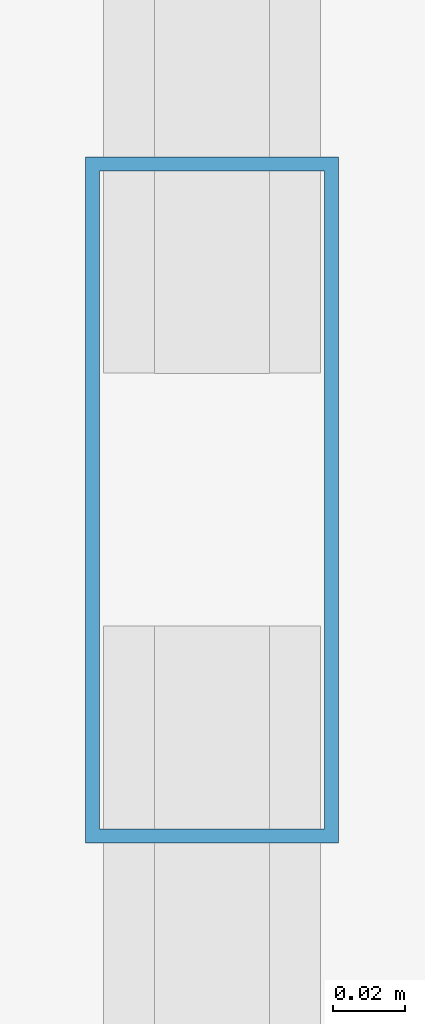
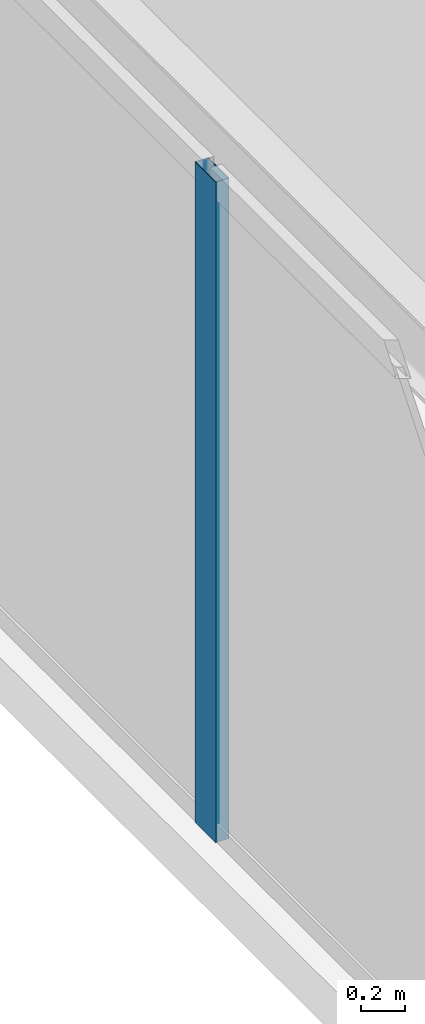
# One storey, part 10 of 35: 1 member, 1 element without a shape of its own.
"""IFC4 building model written with IfcOpenShell, lengths in metres."""

from ifc_helpers import new_model, si_unit, direction, frame, origin, origin_2d, place, context, subcontext, project, spatial, hollow_rectangle, extrude, source, transform, mapped, material, layer, layer_set, material_profile, profile_set, type_object, type_shapes, element, aggregate, save


model = new_model("IFC4")

# Units and contexts
model_context = context("Model", 3, precision=1e-05, world=origin(), true_north=direction((0.0, 1.0)))
body_context = subcontext(model_context, "Body", "Model", "MODEL_VIEW")
ifc_project = project(units=[si_unit("LENGTHUNIT", "METRE"), si_unit("AREAUNIT", "SQUARE_METRE"), si_unit("VOLUMEUNIT", "CUBIC_METRE"), si_unit("PLANEANGLEUNIT", "RADIAN"), si_unit("MASSUNIT", "GRAM", prefix="KILO")], contexts=[model_context])

# Site, building, storey
site_placement = place(None, origin())
site = spatial("IfcSite", under=ifc_project, at=site_placement, CompositionType="ELEMENT")
building_placement = place(site_placement, origin())
building = spatial("IfcBuilding", under=site, at=building_placement, Name="Varnel Quay Broadcast Tower", CompositionType="ELEMENT")
storey_placement = place(building_placement, frame((0.0, 0.0, 31.5)))
storey = spatial("IfcBuildingStorey", under=building, at=storey_placement, Name="L06", CompositionType="ELEMENT", Elevation=31.5)

# Curtain wall, member
ifc_material = material(Name="Anodised Bronze Aluminium 6063-T6", Category="aluminium")
ifc_layer = layer(ifc_material, 0.18994140625, Name="Anodised Bronze Aluminium 6063-T6")
ifc_layer_set = layer_set([ifc_layer], Name="Anodised Bronze Aluminium 6063-T6")
curtain_wall_type = type_object("IfcCurtainWallType", Name="CW_LowerTower", PredefinedType="NOTDEFINED", material=ifc_layer_set)
curtain_wall_placement = place(storey_placement, origin())
curtain_wall = element("IfcCurtainWall", 1, at=curtain_wall_placement, inside=storey, type_object=curtain_wall_type, Name="L06 West Unitised Curtain Wall", PredefinedType="NOTDEFINED")
ifc_material_profile = material_profile(ifc_material, hollow_rectangle(XDim=0.070068359375, YDim=0.18994140625, WallThickness=0.00390625, at=origin_2d()), Name="ALU70X190X4")
ifc_profile_set = profile_set([ifc_material_profile], Name="Anodised Bronze Aluminium 6063-T6")
member_type = type_object("IfcMemberType", Name="Mull_CWS-02", PredefinedType="MULLION", material=ifc_profile_set)
shared_shape = source(origin(), body_context, "Body", "SweptSolid", [
    extrude(hollow_rectangle(XDim=0.070068359375, YDim=0.18994140625, WallThickness=0.00390625, at=origin_2d()), origin(), (0.0, 0.0, 1.0), 3.64990234375),
])
type_shapes(member_type, [shared_shape])
member_placement = place(storey_placement, frame((2.14990234375, 30.39990234375, 0.0), z_axis=(0.0, 0.0, 1.0), x_axis=(-1.0, 0.0, 0.0)))
member = element("IfcMember", 2, at=member_placement, type_object=member_type, Name="CWS-02 mullion 3", PredefinedType="MULLION", context=body_context, shape_type="MappedRepresentation", body=[
    mapped(shared_shape, transform((0.0, 0.0, 0.0), x_axis=(1.0, 0.0, 0.0), y_axis=(0.0, 1.0, 0.0), z_axis=(0.0, 0.0, 1.0), scale=1.0)),
])
aggregate(curtain_wall, [member])

save(model, "model.ifc")
